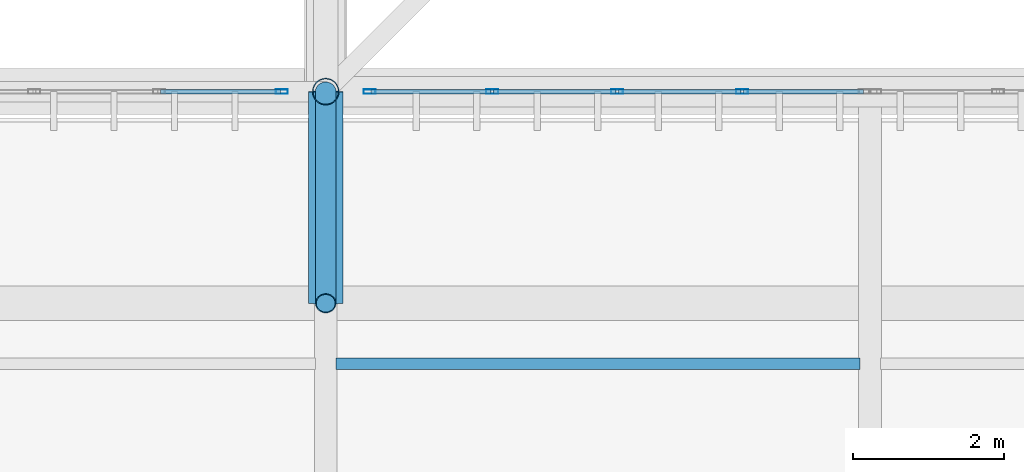
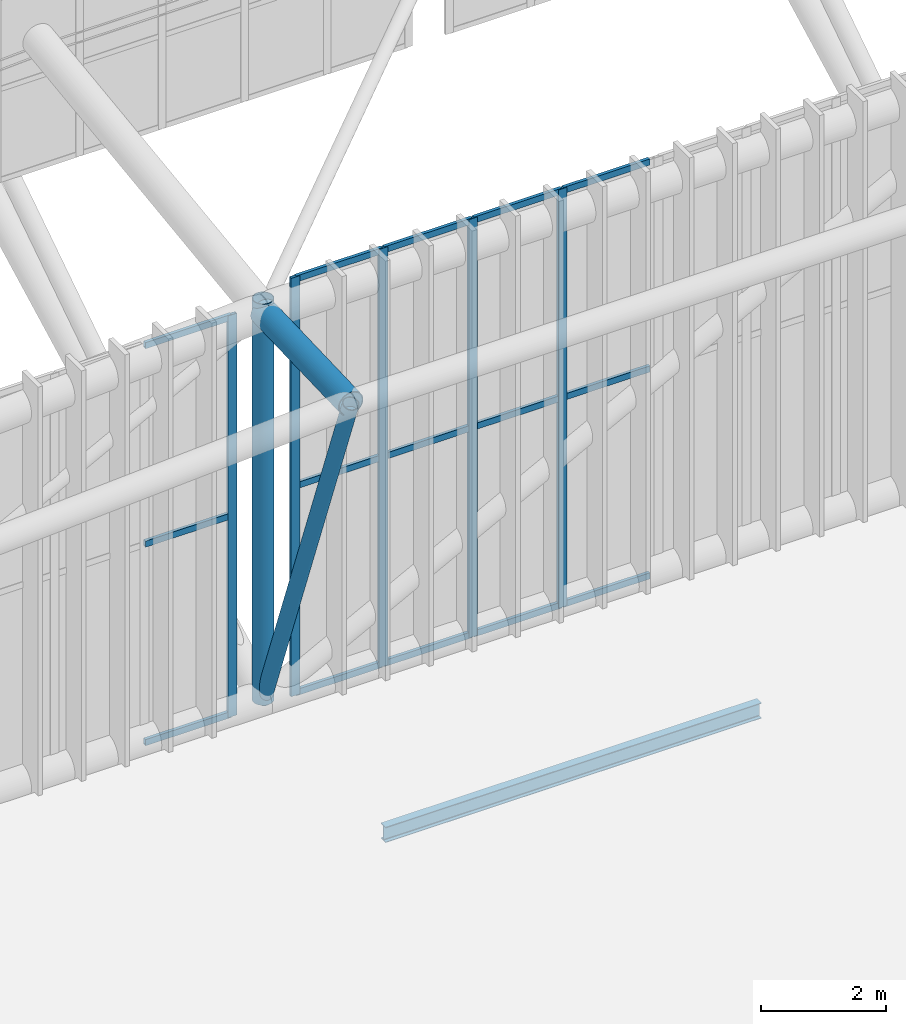
# One storey, part 27 of 397: 22 members, 2 beams, 2 elements without a shape of their own.
"""IFC4 building model written with IfcOpenShell, lengths in metres."""

from ifc_helpers import new_model, si_unit, direction, frame, origin, origin_2d, place, context, subcontext, project, spatial, hollow_rectangle, hollow_circle, i_section, extrude, material, material_profile, profile_set, type_object, element, aggregate, save


model = new_model("IFC4")

# Units and contexts
model_context = context("Model", 3, precision=1e-05, world=origin(), true_north=direction((0.0, 1.0)))
body_context = subcontext(model_context, "Body", "Model", "MODEL_VIEW")
ifc_project = project(units=[si_unit("LENGTHUNIT", "METRE"), si_unit("AREAUNIT", "SQUARE_METRE"), si_unit("VOLUMEUNIT", "CUBIC_METRE"), si_unit("PLANEANGLEUNIT", "RADIAN"), si_unit("MASSUNIT", "GRAM", prefix="KILO")], contexts=[model_context])

# Site, building, storey
site_placement = place(None, origin())
site = spatial("IfcSite", under=ifc_project, at=site_placement, CompositionType="ELEMENT")
building_placement = place(site_placement, origin())
building = spatial("IfcBuilding", under=site, at=building_placement, Name="Qandorah Velis Arena", CompositionType="ELEMENT")
storey_placement = place(building_placement, frame((0.0, 0.0, 27.5)))
storey = spatial("IfcBuildingStorey", under=building, at=storey_placement, Name="RF", CompositionType="ELEMENT", Elevation=27.5)

# Curtain wall, member
ifc_material_1 = material(Name="Solar-control low-E double glazing", Category="glass")
curtain_wall_type = type_object("IfcCurtainWallType", Name="ARC-CW-SYS20", PredefinedType="USERDEFINED", material=ifc_material_1)
curtain_wall_1_placement = place(storey_placement, origin())
curtain_wall_1 = element("IfcCurtainWall", 1, at=curtain_wall_1_placement, inside=storey, type_object=curtain_wall_type, Name="Unitised curtain wall CROWN-3-03S2", ObjectType="UNITISED CURTAIN WALL", PredefinedType="USERDEFINED")
ifc_material_2 = material(Name="Champagne-bronze anodized aluminium 6063-T6", Category="aluminium")
ifc_material_profile_1 = material_profile(ifc_material_2, hollow_rectangle(XDim=0.06005859375, YDim=0.159912109375, WallThickness=0.00341796875, at=origin_2d()), Name="ALU MULLION 60x160")
ifc_profile_set_1 = profile_set([ifc_material_profile_1], Name="Champagne-bronze anodized aluminium 6063-T6")
member_type_1 = type_object("IfcMemberType", Name="ARC-CWM-160", PredefinedType="MULLION", material=ifc_profile_set_1)
member_1_placement = place(storey_placement, frame((57.02001953125, 14.39990234375, -0.014892578125), z_axis=(0.0, 0.0, 1.0), x_axis=(0.0, 1.0, 0.0)))
member_1 = element("IfcMember", 2, at=member_1_placement, type_object=member_type_1, Name="CW20 mullion 5", PredefinedType="MULLION", context=body_context, shape_type="SweptSolid", body=[
    extrude(hollow_rectangle(XDim=0.06005859375, YDim=0.159912109375, WallThickness=0.00341796875, at=origin_2d()), origin(), (0.0, 0.0, 1.0), 7.826416015625),
])

# Curtain wall, members
curtain_wall_2_placement = place(storey_placement, origin())
curtain_wall_2 = element("IfcCurtainWall", 3, at=curtain_wall_2_placement, inside=storey, type_object=curtain_wall_type, Name="Unitised curtain wall CROWN-3-04S1", ObjectType="UNITISED CURTAIN WALL", PredefinedType="USERDEFINED")
member_2_placement = place(storey_placement, frame((58.179931640625, 14.39990234375, -0.014892578125), z_axis=(0.0, 0.0, 1.0), x_axis=(0.0, 1.0, 0.0)))
member_2 = element("IfcMember", 4, at=member_2_placement, type_object=member_type_1, Name="CW20 mullion 1", PredefinedType="MULLION", context=body_context, shape_type="SweptSolid", body=[
    extrude(hollow_rectangle(XDim=0.06005859375, YDim=0.159912109375, WallThickness=0.00341796875, at=origin_2d()), origin(), (0.0, 0.0, 1.0), 8.150634765625),
])
member_3_placement = place(storey_placement, frame((59.802490234375, 14.39990234375, -0.014892578125), z_axis=(0.0, 0.0, 1.0), x_axis=(0.0, 1.0, 0.0)))
member_3 = element("IfcMember", 5, at=member_3_placement, type_object=member_type_1, Name="CW20 mullion 2", PredefinedType="MULLION", context=body_context, shape_type="SweptSolid", body=[
    extrude(hollow_rectangle(XDim=0.06005859375, YDim=0.159912109375, WallThickness=0.00341796875, at=origin_2d()), origin(), (0.0, 0.0, 1.0), 8.150634765625),
])
member_4_placement = place(storey_placement, frame((61.455078125, 14.39990234375, -0.014892578125), z_axis=(0.0, 0.0, 1.0), x_axis=(0.0, 1.0, 0.0)))
member_4 = element("IfcMember", 6, at=member_4_placement, type_object=member_type_1, Name="CW20 mullion 3", PredefinedType="MULLION", context=body_context, shape_type="SweptSolid", body=[
    extrude(hollow_rectangle(XDim=0.06005859375, YDim=0.159912109375, WallThickness=0.00341796875, at=origin_2d()), origin(), (0.0, 0.0, 1.0), 8.150634765625),
])
member_5_placement = place(storey_placement, frame((63.107421875, 14.39990234375, -0.014892578125), z_axis=(0.0, 0.0, 1.0), x_axis=(0.0, 1.0, 0.0)))
member_5 = element("IfcMember", 7, at=member_5_placement, type_object=member_type_1, Name="CW20 mullion 4", PredefinedType="MULLION", context=body_context, shape_type="SweptSolid", body=[
    extrude(hollow_rectangle(XDim=0.06005859375, YDim=0.159912109375, WallThickness=0.00341796875, at=origin_2d()), origin(), (0.0, 0.0, 1.0), 8.150634765625),
])

# Member
ifc_material_profile_2 = material_profile(ifc_material_2, hollow_rectangle(XDim=0.06005859375, YDim=0.1201171875, WallThickness=0.0029296875, at=origin_2d()), Name="ALU TRANSOM 60x120")
ifc_profile_set_2 = profile_set([ifc_material_profile_2], Name="Champagne-bronze anodized aluminium 6063-T6")
member_type_2 = type_object("IfcMemberType", Name="ARC-CWT-120", PredefinedType="USERDEFINED", material=ifc_profile_set_2)
member_6_placement = place(storey_placement, frame((55.41552734375, 14.39990234375, 0.030029296875), z_axis=(1.0, 0.0, 0.0), x_axis=(0.0, 1.0, 0.0)))
member_6 = element("IfcMember", 8, at=member_6_placement, type_object=member_type_2, Name="CW20 transom 4.1", ObjectType="TRANSOM", PredefinedType="USERDEFINED", context=body_context, shape_type="SweptSolid", body=[
    extrude(hollow_rectangle(XDim=0.06005859375, YDim=0.1201171875, WallThickness=0.0029296875, at=origin_2d()), origin(), (0.0, 0.0, 1.0), 1.58642578125),
])

member_7_placement = place(storey_placement, frame((55.41552734375, 14.39990234375, 3.898193359375), z_axis=(1.0, 0.0, 0.0), x_axis=(0.0, 1.0, 0.0)))
member_7 = element("IfcMember", 9, at=member_7_placement, type_object=member_type_2, Name="CW20 transom 4.2", ObjectType="TRANSOM", PredefinedType="USERDEFINED", context=body_context, shape_type="SweptSolid", body=[
    extrude(hollow_rectangle(XDim=0.06005859375, YDim=0.1201171875, WallThickness=0.0029296875, at=origin_2d()), origin(), (0.0, 0.0, 1.0), 1.58642578125),
])

member_8_placement = place(storey_placement, frame((55.41552734375, 14.39990234375, 7.7666015625), z_axis=(1.0, 0.0, 0.0), x_axis=(0.0, 1.0, 0.0)))
member_8 = element("IfcMember", 10, at=member_8_placement, type_object=member_type_2, Name="CW20 transom 4.3", ObjectType="TRANSOM", PredefinedType="USERDEFINED", context=body_context, shape_type="SweptSolid", body=[
    extrude(hollow_rectangle(XDim=0.06005859375, YDim=0.1201171875, WallThickness=0.0029296875, at=origin_2d()), origin(), (0.0, 0.0, 1.0), 1.58642578125),
])

aggregate(curtain_wall_1, [member_1, member_6, member_7, member_8])

member_9_placement = place(storey_placement, frame((58.197998046875, 14.39990234375, 0.030029296875), z_axis=(1.0, 0.0, 0.0), x_axis=(0.0, 1.0, 0.0)))
member_9 = element("IfcMember", 11, at=member_9_placement, type_object=member_type_2, Name="CW20 transom 1.1", ObjectType="TRANSOM", PredefinedType="USERDEFINED", context=body_context, shape_type="SweptSolid", body=[
    extrude(hollow_rectangle(XDim=0.06005859375, YDim=0.1201171875, WallThickness=0.0029296875, at=origin_2d()), origin(), (0.0, 0.0, 1.0), 1.58642578125),
])

member_10_placement = place(storey_placement, frame((58.197998046875, 14.39990234375, 4.060302734375), z_axis=(1.0, 0.0, 0.0), x_axis=(0.0, 1.0, 0.0)))
member_10 = element("IfcMember", 12, at=member_10_placement, type_object=member_type_2, Name="CW20 transom 1.2", ObjectType="TRANSOM", PredefinedType="USERDEFINED", context=body_context, shape_type="SweptSolid", body=[
    extrude(hollow_rectangle(XDim=0.06005859375, YDim=0.1201171875, WallThickness=0.0029296875, at=origin_2d()), origin(), (0.0, 0.0, 1.0), 1.58642578125),
])

member_11_placement = place(storey_placement, frame((58.197998046875, 14.39990234375, 8.0908203125), z_axis=(1.0, 0.0, 0.0), x_axis=(0.0, 1.0, 0.0)))
member_11 = element("IfcMember", 13, at=member_11_placement, type_object=member_type_2, Name="CW20 transom 1.3", ObjectType="TRANSOM", PredefinedType="USERDEFINED", context=body_context, shape_type="SweptSolid", body=[
    extrude(hollow_rectangle(XDim=0.06005859375, YDim=0.1201171875, WallThickness=0.0029296875, at=origin_2d()), origin(), (0.0, 0.0, 1.0), 1.58642578125),
])

member_12_placement = place(storey_placement, frame((59.820556640625, 14.39990234375, 0.030029296875), z_axis=(1.0, 0.0, 0.0), x_axis=(0.0, 1.0, 0.0)))
member_12 = element("IfcMember", 14, at=member_12_placement, type_object=member_type_2, Name="CW20 transom 2.1", ObjectType="TRANSOM", PredefinedType="USERDEFINED", context=body_context, shape_type="SweptSolid", body=[
    extrude(hollow_rectangle(XDim=0.06005859375, YDim=0.1201171875, WallThickness=0.0029296875, at=origin_2d()), origin(), (0.0, 0.0, 1.0), 1.616455078125),
])

member_13_placement = place(storey_placement, frame((59.820556640625, 14.39990234375, 4.060302734375), z_axis=(1.0, 0.0, 0.0), x_axis=(0.0, 1.0, 0.0)))
member_13 = element("IfcMember", 15, at=member_13_placement, type_object=member_type_2, Name="CW20 transom 2.2", ObjectType="TRANSOM", PredefinedType="USERDEFINED", context=body_context, shape_type="SweptSolid", body=[
    extrude(hollow_rectangle(XDim=0.06005859375, YDim=0.1201171875, WallThickness=0.0029296875, at=origin_2d()), origin(), (0.0, 0.0, 1.0), 1.616455078125),
])

member_14_placement = place(storey_placement, frame((59.820556640625, 14.39990234375, 8.0908203125), z_axis=(1.0, 0.0, 0.0), x_axis=(0.0, 1.0, 0.0)))
member_14 = element("IfcMember", 16, at=member_14_placement, type_object=member_type_2, Name="CW20 transom 2.3", ObjectType="TRANSOM", PredefinedType="USERDEFINED", context=body_context, shape_type="SweptSolid", body=[
    extrude(hollow_rectangle(XDim=0.06005859375, YDim=0.1201171875, WallThickness=0.0029296875, at=origin_2d()), origin(), (0.0, 0.0, 1.0), 1.616455078125),
])

member_15_placement = place(storey_placement, frame((61.472900390625, 14.39990234375, 0.030029296875), z_axis=(1.0, 0.0, 0.0), x_axis=(0.0, 1.0, 0.0)))
member_15 = element("IfcMember", 17, at=member_15_placement, type_object=member_type_2, Name="CW20 transom 3.1", ObjectType="TRANSOM", PredefinedType="USERDEFINED", context=body_context, shape_type="SweptSolid", body=[
    extrude(hollow_rectangle(XDim=0.06005859375, YDim=0.1201171875, WallThickness=0.0029296875, at=origin_2d()), origin(), (0.0, 0.0, 1.0), 1.61669921875),
])

member_16_placement = place(storey_placement, frame((61.472900390625, 14.39990234375, 4.060302734375), z_axis=(1.0, 0.0, 0.0), x_axis=(0.0, 1.0, 0.0)))
member_16 = element("IfcMember", 18, at=member_16_placement, type_object=member_type_2, Name="CW20 transom 3.2", ObjectType="TRANSOM", PredefinedType="USERDEFINED", context=body_context, shape_type="SweptSolid", body=[
    extrude(hollow_rectangle(XDim=0.06005859375, YDim=0.1201171875, WallThickness=0.0029296875, at=origin_2d()), origin(), (0.0, 0.0, 1.0), 1.61669921875),
])

member_17_placement = place(storey_placement, frame((61.472900390625, 14.39990234375, 8.0908203125), z_axis=(1.0, 0.0, 0.0), x_axis=(0.0, 1.0, 0.0)))
member_17 = element("IfcMember", 19, at=member_17_placement, type_object=member_type_2, Name="CW20 transom 3.3", ObjectType="TRANSOM", PredefinedType="USERDEFINED", context=body_context, shape_type="SweptSolid", body=[
    extrude(hollow_rectangle(XDim=0.06005859375, YDim=0.1201171875, WallThickness=0.0029296875, at=origin_2d()), origin(), (0.0, 0.0, 1.0), 1.61669921875),
])

member_18_placement = place(storey_placement, frame((63.12548828125, 14.39990234375, 0.030029296875), z_axis=(1.0, 0.0, 0.0), x_axis=(0.0, 1.0, 0.0)))
member_18 = element("IfcMember", 20, at=member_18_placement, type_object=member_type_2, Name="CW20 transom 4.1", ObjectType="TRANSOM", PredefinedType="USERDEFINED", context=body_context, shape_type="SweptSolid", body=[
    extrude(hollow_rectangle(XDim=0.06005859375, YDim=0.1201171875, WallThickness=0.0029296875, at=origin_2d()), origin(), (0.0, 0.0, 1.0), 1.58642578125),
])

member_19_placement = place(storey_placement, frame((63.12548828125, 14.39990234375, 4.060302734375), z_axis=(1.0, 0.0, 0.0), x_axis=(0.0, 1.0, 0.0)))
member_19 = element("IfcMember", 21, at=member_19_placement, type_object=member_type_2, Name="CW20 transom 4.2", ObjectType="TRANSOM", PredefinedType="USERDEFINED", context=body_context, shape_type="SweptSolid", body=[
    extrude(hollow_rectangle(XDim=0.06005859375, YDim=0.1201171875, WallThickness=0.0029296875, at=origin_2d()), origin(), (0.0, 0.0, 1.0), 1.58642578125),
])

member_20_placement = place(storey_placement, frame((63.12548828125, 14.39990234375, 8.0908203125), z_axis=(1.0, 0.0, 0.0), x_axis=(0.0, 1.0, 0.0)))
member_20 = element("IfcMember", 22, at=member_20_placement, type_object=member_type_2, Name="CW20 transom 4.3", ObjectType="TRANSOM", PredefinedType="USERDEFINED", context=body_context, shape_type="SweptSolid", body=[
    extrude(hollow_rectangle(XDim=0.06005859375, YDim=0.1201171875, WallThickness=0.0029296875, at=origin_2d()), origin(), (0.0, 0.0, 1.0), 1.58642578125),
])

aggregate(curtain_wall_2, [member_2, member_3, member_4, member_5, member_9, member_10, member_11, member_12, member_13, member_14, member_15, member_16, member_17, member_18, member_19, member_20])

# Beams
ifc_material_3 = material(Name="Steel S355", Category="steel")
ifc_material_profile_3 = material_profile(ifc_material_3, i_section(OverallWidth=0.14990234375, OverallDepth=0.300048828125, WebThickness=0.007080078125, FlangeThickness=0.0107421875, FilletRadius=0.014892578125, at=origin_2d()), Name="IPE 300")
ifc_profile_set_3 = profile_set([ifc_material_profile_3], Name="Steel S355")
beam_type_1 = type_object("IfcBeamType", Name="STR-JST-IPE300", PredefinedType="JOIST", material=ifc_profile_set_3)
beam_1_placement = place(storey_placement, frame((57.735107421875, 10.800048828125, -0.3701171875), z_axis=(1.0, 0.0, 0.0), x_axis=(0.0, 1.0, 0.0)))
element("IfcBeam", 23, at=beam_1_placement, inside=storey, type_object=beam_type_1, Name="Secondary floor joist RF-030", PredefinedType="JOIST", context=body_context, shape_type="SweptSolid", body=[
    extrude(i_section(OverallWidth=0.14990234375, OverallDepth=0.300048828125, WebThickness=0.007080078125, FlangeThickness=0.0107421875, FilletRadius=0.014892578125, at=origin_2d()), origin(), (0.0, 0.0, 1.0), 6.929931640625),
])
ifc_material_profile_4 = material_profile(ifc_material_3, hollow_circle(Radius=0.228515625, WallThickness=0.01611328125, at=origin_2d()), Name="CHS 457x16")
ifc_profile_set_4 = profile_set([ifc_material_profile_4], Name="Steel S355")
beam_type_2 = type_object("IfcBeamType", Name="STR-SFC-CHS457X16", PredefinedType="USERDEFINED", material=ifc_profile_set_4)
beam_2_placement = place(storey_placement, frame((57.60009765625, 14.39990234375, 7.65576171875), z_axis=(0.0, -0.999364629289, -0.035641797469), x_axis=(1.0, 0.0, 0.0)))
element("IfcBeam", 24, at=beam_2_placement, inside=storey, type_object=beam_type_2, Name="Space frame eave outrigger S-3", ObjectType="ROOF TRUSS", PredefinedType="USERDEFINED", context=body_context, shape_type="SweptSolid", body=[
    extrude(hollow_circle(Radius=0.228515625, WallThickness=0.01611328125, at=origin_2d()), origin(), (0.0, 0.0, 1.0), 2.801513671875),
])

# Members
ifc_material_profile_5 = material_profile(ifc_material_3, hollow_circle(Radius=0.136474609375, WallThickness=0.012451171875, at=origin_2d()), Name="CHS 273x12.5")
ifc_profile_set_5 = profile_set([ifc_material_profile_5], Name="Steel S355")
member_type_3 = type_object("IfcMemberType", Name="STR-SFD-CHS273X12", PredefinedType="STRUT", material=ifc_profile_set_5)
member_21_placement = place(storey_placement, frame((57.60009765625, 14.39990234375, 0.10009765625), z_axis=(0.0, -0.351550053744, 0.936169087138), x_axis=(1.0, 0.0, 0.0)))
element("IfcMember", 25, at=member_21_placement, inside=storey, type_object=member_type_3, Name="Space frame eave raking strut S-3", PredefinedType="STRUT", context=body_context, shape_type="SweptSolid", body=[
    extrude(hollow_circle(Radius=0.136474609375, WallThickness=0.012451171875, at=origin_2d()), origin(), (0.0, 0.0, 1.0), 7.964111328125),
])
ifc_material_profile_6 = material_profile(ifc_material_3, hollow_circle(Radius=0.177734375, WallThickness=0.012451171875, at=origin_2d()), Name="CHS 355.6x12.5")
ifc_profile_set_6 = profile_set([ifc_material_profile_6], Name="Steel S355")
member_type_4 = type_object("IfcMemberType", Name="STR-SFD-CHS355X12", PredefinedType="STRUT", material=ifc_profile_set_6)
member_22_placement = place(storey_placement, frame((57.60009765625, 14.39990234375, 0.10009765625), z_axis=(0.0, 0.0, 1.0), x_axis=(1.0, 0.0, 0.0)))
element("IfcMember", 26, at=member_22_placement, inside=storey, type_object=member_type_4, Name="Space frame roof vertical post 3.0", PredefinedType="STRUT", context=body_context, shape_type="SweptSolid", body=[
    extrude(hollow_circle(Radius=0.177734375, WallThickness=0.012451171875, at=origin_2d()), origin(), (0.0, 0.0, 1.0), 7.815673828125),
])

save(model, "model.ifc")
